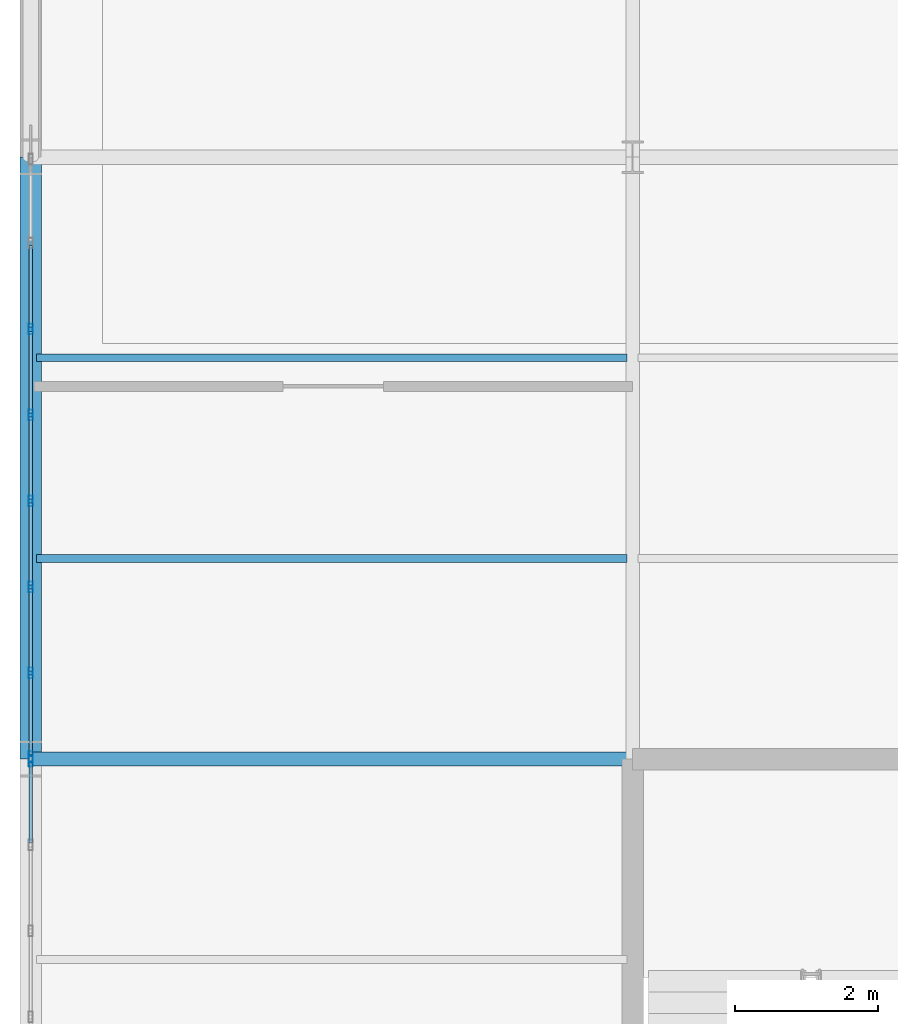
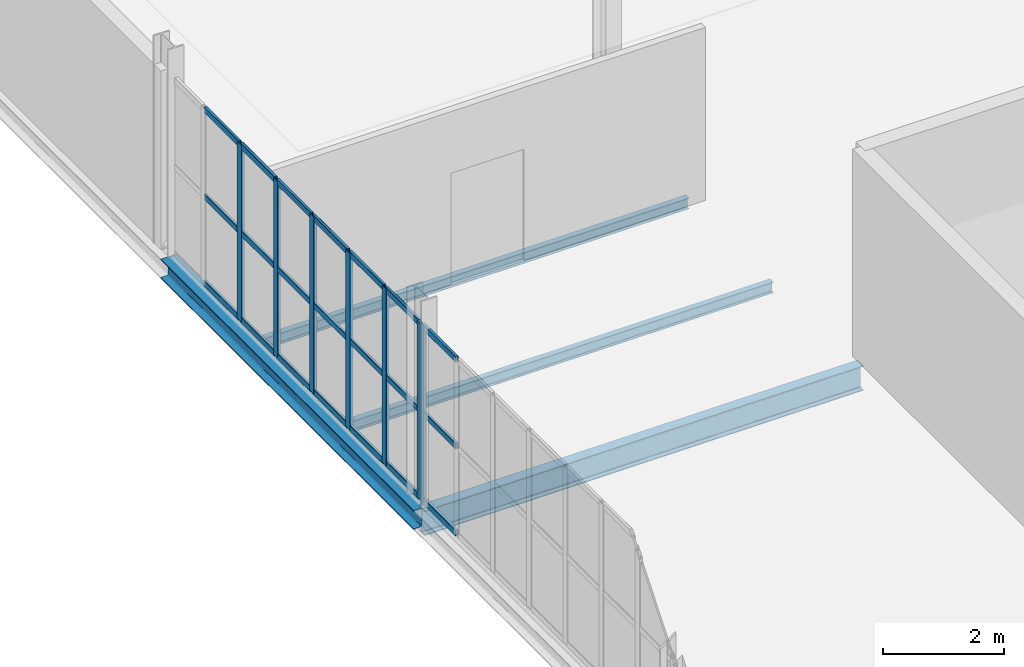
# One storey, part 19 of 65: 28 members, 4 beams, 2 elements without a shape of their own.
"""IFC4 building model written with IfcOpenShell, lengths in metres."""

from ifc_helpers import new_model, si_unit, direction, frame, origin, origin_2d, place, context, subcontext, project, spatial, hollow_rectangle, i_section, extrude, material, layer, layer_set, material_profile, profile_set, type_object, element, aggregate, save


model = new_model("IFC4")

# Units and contexts
model_context = context("Model", 3, precision=1e-05, world=origin(), true_north=direction((0.0, 1.0)))
body_context = subcontext(model_context, "Body", "Model", "MODEL_VIEW")
ifc_project = project(units=[si_unit("LENGTHUNIT", "METRE"), si_unit("AREAUNIT", "SQUARE_METRE"), si_unit("VOLUMEUNIT", "CUBIC_METRE"), si_unit("PLANEANGLEUNIT", "RADIAN"), si_unit("MASSUNIT", "GRAM", prefix="KILO")], contexts=[model_context])

# Site, building, storey
site_placement = place(None, origin())
site = spatial("IfcSite", under=ifc_project, at=site_placement, CompositionType="ELEMENT")
building_placement = place(site_placement, origin())
building = spatial("IfcBuilding", under=site, at=building_placement, Name="Qalvenar Corner Mobility Hub", CompositionType="ELEMENT")
storey_placement = place(building_placement, frame((0.0, 0.0, 17.39990234375)))
storey = spatial("IfcBuildingStorey", under=building, at=storey_placement, Name="L04", CompositionType="ELEMENT", Elevation=17.39990234375)

# Beams
ifc_material_1 = material(Name="Steel S355", Category="steel")
ifc_material_profile_1 = material_profile(ifc_material_1, i_section(OverallWidth=0.199951171875, OverallDepth=0.5, WebThickness=0.01025390625, FlangeThickness=0.01611328125, FilletRadius=0.02099609375, at=origin_2d()), Name="IPE500")
ifc_profile_set_1 = profile_set([ifc_material_profile_1], Name="Steel S355")
beam_type_1 = type_object("IfcBeamType", Name="BM-IPE500", PredefinedType="BEAM", material=ifc_profile_set_1)
beam_1_placement = place(storey_placement, frame((0.0, 16.800048828125, -0.429931640625), z_axis=(1.0, 0.0, 0.0), x_axis=(0.0, 1.0, 0.0)))
element("IfcBeam", 1, at=beam_1_placement, inside=storey, type_object=beam_type_1, Name="Primary Steel Girder GX-2603", PredefinedType="BEAM", context=body_context, shape_type="SweptSolid", body=[
    extrude(i_section(OverallWidth=0.199951171875, OverallDepth=0.5, WebThickness=0.01025390625, FlangeThickness=0.01611328125, FilletRadius=0.02099609375, at=origin_2d()), origin(), (0.0, 0.0, 1.0), 8.39990234375),
])
ifc_material_profile_2 = material_profile(ifc_material_1, i_section(OverallWidth=0.110107421875, OverallDepth=0.219970703125, WebThickness=0.005859375, FlangeThickness=0.00927734375, FilletRadius=0.011962890625, at=origin_2d()), Name="IPE220")
ifc_profile_set_2 = profile_set([ifc_material_profile_2], Name="Steel S355")
beam_type_2 = type_object("IfcBeamType", Name="BM-JST220", PredefinedType="JOIST", material=ifc_profile_set_2)
for number, where, z_axis, x_axis, name in (
    (2, (0.077880859375, 19.60009765625, -0.289794921875), (1.0, 0.0, 0.0), (0.0, 1.0, 0.0), "Composite Floor Joist J-2667"),
    (3, (0.077880859375, 22.39990234375, -0.289794921875), (1.0, 0.0, 0.0), (0.0, 1.0, 0.0), "Composite Floor Joist J-2668"),
):
    element("IfcBeam", number, at=place(storey_placement, frame(where, z_axis=z_axis, x_axis=x_axis)), inside=storey, type_object=beam_type_2, Name=name, PredefinedType="JOIST", context=body_context, shape_type="SweptSolid", body=[
        extrude(i_section(OverallWidth=0.110107421875, OverallDepth=0.219970703125, WebThickness=0.005859375, FlangeThickness=0.00927734375, FilletRadius=0.011962890625, at=origin_2d()), origin(), (0.0, 0.0, 1.0), 8.244140625),
    ])
ifc_material_profile_3 = material_profile(ifc_material_1, i_section(OverallWidth=0.300048828125, OverallDepth=0.389892578125, WebThickness=0.010986328125, FlangeThickness=0.01904296875, FilletRadius=0.027099609375, at=origin_2d()), Name="HEA400")
ifc_profile_set_3 = profile_set([ifc_material_profile_3], Name="Steel S355")
beam_type_3 = type_object("IfcBeamType", Name="BM-SPN400", PredefinedType="SPANDREL", material=ifc_profile_set_3)
beam_2_placement = place(storey_placement, frame((0.0, 16.800048828125, -0.375), z_axis=(0.0, 1.0, 0.0), x_axis=(-1.0, 0.0, 0.0)))
element("IfcBeam", 4, at=beam_2_placement, inside=storey, type_object=beam_type_3, Name="Primary Steel Girder GY-2629", PredefinedType="SPANDREL", context=body_context, shape_type="SweptSolid", body=[
    extrude(i_section(OverallWidth=0.300048828125, OverallDepth=0.389892578125, WebThickness=0.010986328125, FlangeThickness=0.01904296875, FilletRadius=0.027099609375, at=origin_2d()), origin(), (0.0, 0.0, 1.0), 8.39990234375),
])

# Curtain wall, member
ifc_material_2 = material(Name="Anodised Aluminium and Low-E Glazing", Category="aluminium")
ifc_layer = layer(ifc_material_2, 0.14990234375)
ifc_layer_set = layer_set([ifc_layer], Name="Anodised Aluminium and Low-E Glazing")
curtain_wall_type = type_object("IfcCurtainWallType", Name="CW-CIV-84X40", PredefinedType="NOTDEFINED", material=ifc_layer_set)
curtain_wall_1_placement = place(storey_placement, origin())
curtain_wall_1 = element("IfcCurtainWall", 5, at=curtain_wall_1_placement, inside=storey, type_object=curtain_wall_type, Name="Glazed Curtain Wall CW-V3-L04-W1", PredefinedType="NOTDEFINED")
ifc_material_3 = material(Name="Anodised Aluminium 6063-T6", Category="aluminium")
ifc_material_profile_4 = material_profile(ifc_material_3, hollow_rectangle(XDim=0.06005859375, YDim=0.14990234375, WallThickness=0.00390625, InnerFilletRadius=0.00390625, OuterFilletRadius=0.008056640625, at=origin_2d()), Name="RHS150x60x4")
ifc_profile_set_4 = profile_set([ifc_material_profile_4], Name="Anodised Aluminium 6063-T6")
member_type_1 = type_object("IfcMemberType", Name="CW-MUL150", PredefinedType="MULLION", material=ifc_profile_set_4)
member_1_placement = place(storey_placement, frame((0.0, 16.77001953125, 0.0), z_axis=(0.0, 0.0, 1.0), x_axis=(1.0, 0.0, 0.0)))
member_1 = element("IfcMember", 6, at=member_1_placement, type_object=member_type_1, Name="CW-05 mullion 1", PredefinedType="MULLION", context=body_context, shape_type="SweptSolid", body=[
    extrude(hollow_rectangle(XDim=0.06005859375, YDim=0.14990234375, WallThickness=0.00390625, InnerFilletRadius=0.00390625, OuterFilletRadius=0.008056640625, at=origin_2d()), origin(), (0.0, 0.0, 1.0), 3.570068359375),
])

# Curtain wall, members
curtain_wall_2_placement = place(storey_placement, origin())
curtain_wall_2 = element("IfcCurtainWall", 7, at=curtain_wall_2_placement, inside=storey, type_object=curtain_wall_type, Name="Glazed Curtain Wall CW-V3-L04-W2", PredefinedType="NOTDEFINED")
member_2_placement = place(storey_placement, frame((0.0, 22.800048828125, 0.0), z_axis=(0.0, 0.0, 1.0), x_axis=(1.0, 0.0, 0.0)))
member_2 = element("IfcMember", 8, at=member_2_placement, type_object=member_type_1, Name="CW-05 mullion 3", PredefinedType="MULLION", context=body_context, shape_type="SweptSolid", body=[
    extrude(hollow_rectangle(XDim=0.06005859375, YDim=0.14990234375, WallThickness=0.00390625, InnerFilletRadius=0.00390625, OuterFilletRadius=0.008056640625, at=origin_2d()), origin(), (0.0, 0.0, 1.0), 3.570068359375),
])
member_3_placement = place(storey_placement, frame((0.0, 21.60009765625, 0.0), z_axis=(0.0, 0.0, 1.0), x_axis=(1.0, 0.0, 0.0)))
member_3 = element("IfcMember", 9, at=member_3_placement, type_object=member_type_1, Name="CW-05 mullion 4", PredefinedType="MULLION", context=body_context, shape_type="SweptSolid", body=[
    extrude(hollow_rectangle(XDim=0.06005859375, YDim=0.14990234375, WallThickness=0.00390625, InnerFilletRadius=0.00390625, OuterFilletRadius=0.008056640625, at=origin_2d()), origin(), (0.0, 0.0, 1.0), 3.570068359375),
])
member_4_placement = place(storey_placement, frame((0.0, 20.39990234375, 0.0), z_axis=(0.0, 0.0, 1.0), x_axis=(1.0, 0.0, 0.0)))
member_4 = element("IfcMember", 10, at=member_4_placement, type_object=member_type_1, Name="CW-05 mullion 5", PredefinedType="MULLION", context=body_context, shape_type="SweptSolid", body=[
    extrude(hollow_rectangle(XDim=0.06005859375, YDim=0.14990234375, WallThickness=0.00390625, InnerFilletRadius=0.00390625, OuterFilletRadius=0.008056640625, at=origin_2d()), origin(), (0.0, 0.0, 1.0), 3.570068359375),
])
member_5_placement = place(storey_placement, frame((0.0, 19.199951171875, 0.0), z_axis=(0.0, 0.0, 1.0), x_axis=(1.0, 0.0, 0.0)))
member_5 = element("IfcMember", 11, at=member_5_placement, type_object=member_type_1, Name="CW-05 mullion 6", PredefinedType="MULLION", context=body_context, shape_type="SweptSolid", body=[
    extrude(hollow_rectangle(XDim=0.06005859375, YDim=0.14990234375, WallThickness=0.00390625, InnerFilletRadius=0.00390625, OuterFilletRadius=0.008056640625, at=origin_2d()), origin(), (0.0, 0.0, 1.0), 3.570068359375),
])
member_6_placement = place(storey_placement, frame((0.0, 18.0, 0.0), z_axis=(0.0, 0.0, 1.0), x_axis=(1.0, 0.0, 0.0)))
member_6 = element("IfcMember", 12, at=member_6_placement, type_object=member_type_1, Name="CW-05 mullion 7", PredefinedType="MULLION", context=body_context, shape_type="SweptSolid", body=[
    extrude(hollow_rectangle(XDim=0.06005859375, YDim=0.14990234375, WallThickness=0.00390625, InnerFilletRadius=0.00390625, OuterFilletRadius=0.008056640625, at=origin_2d()), origin(), (0.0, 0.0, 1.0), 3.570068359375),
])
member_7_placement = place(storey_placement, frame((0.0, 16.830078125, 0.0), z_axis=(0.0, 0.0, 1.0), x_axis=(1.0, 0.0, 0.0)))
member_7 = element("IfcMember", 13, at=member_7_placement, type_object=member_type_1, Name="CW-05 mullion 8", PredefinedType="MULLION", context=body_context, shape_type="SweptSolid", body=[
    extrude(hollow_rectangle(XDim=0.06005859375, YDim=0.14990234375, WallThickness=0.00390625, InnerFilletRadius=0.00390625, OuterFilletRadius=0.008056640625, at=origin_2d()), origin(), (0.0, 0.0, 1.0), 3.570068359375),
])

# Member
ifc_material_profile_5 = material_profile(ifc_material_3, hollow_rectangle(XDim=0.054931640625, YDim=0.1201171875, WallThickness=0.00341796875, InnerFilletRadius=0.00341796875, OuterFilletRadius=0.007080078125, at=origin_2d()), Name="RHS120x55x3.5")
ifc_profile_set_5 = profile_set([ifc_material_profile_5], Name="Anodised Aluminium 6063-T6")
member_type_2 = type_object("IfcMemberType", Name="CW-TRN120", PredefinedType="USERDEFINED", material=ifc_profile_set_5)
member_8_placement = place(storey_placement, frame((0.0, 16.739990234375, 0.027587890625), z_axis=(0.0, -1.0, 0.0), x_axis=(1.0, 0.0, 0.0)))
member_8 = element("IfcMember", 14, at=member_8_placement, type_object=member_type_2, Name="CW-05 transom 1.1", ObjectType="TRANSOM", PredefinedType="USERDEFINED", context=body_context, shape_type="SweptSolid", body=[
    extrude(hollow_rectangle(XDim=0.054931640625, YDim=0.1201171875, WallThickness=0.00341796875, InnerFilletRadius=0.00341796875, OuterFilletRadius=0.007080078125, at=origin_2d()), origin(), (0.0, 0.0, 1.0), 1.110107421875),
])

member_9_placement = place(storey_placement, frame((0.0, 16.739990234375, 1.78515625), z_axis=(0.0, -1.0, 0.0), x_axis=(1.0, 0.0, 0.0)))
member_9 = element("IfcMember", 15, at=member_9_placement, type_object=member_type_2, Name="CW-05 transom 1.2", ObjectType="TRANSOM", PredefinedType="USERDEFINED", context=body_context, shape_type="SweptSolid", body=[
    extrude(hollow_rectangle(XDim=0.054931640625, YDim=0.1201171875, WallThickness=0.00341796875, InnerFilletRadius=0.00341796875, OuterFilletRadius=0.007080078125, at=origin_2d()), origin(), (0.0, 0.0, 1.0), 1.110107421875),
])

member_10_placement = place(storey_placement, frame((0.0, 16.739990234375, 3.54248046875), z_axis=(0.0, -1.0, 0.0), x_axis=(1.0, 0.0, 0.0)))
member_10 = element("IfcMember", 16, at=member_10_placement, type_object=member_type_2, Name="CW-05 transom 1.3", ObjectType="TRANSOM", PredefinedType="USERDEFINED", context=body_context, shape_type="SweptSolid", body=[
    extrude(hollow_rectangle(XDim=0.054931640625, YDim=0.1201171875, WallThickness=0.00341796875, InnerFilletRadius=0.00341796875, OuterFilletRadius=0.007080078125, at=origin_2d()), origin(), (0.0, 0.0, 1.0), 1.110107421875),
])

aggregate(curtain_wall_1, [member_1, member_8, member_9, member_10])

member_11_placement = place(storey_placement, frame((0.0, 23.969970703125, 0.027587890625), z_axis=(0.0, -1.0, 0.0), x_axis=(1.0, 0.0, 0.0)))
member_11 = element("IfcMember", 17, at=member_11_placement, type_object=member_type_2, Name="CW-05 transom 2.1", ObjectType="TRANSOM", PredefinedType="USERDEFINED", context=body_context, shape_type="SweptSolid", body=[
    extrude(hollow_rectangle(XDim=0.054931640625, YDim=0.1201171875, WallThickness=0.00341796875, InnerFilletRadius=0.00341796875, OuterFilletRadius=0.007080078125, at=origin_2d()), origin(), (0.0, 0.0, 1.0), 1.139892578125),
])

member_12_placement = place(storey_placement, frame((0.0, 23.969970703125, 1.78515625), z_axis=(0.0, -1.0, 0.0), x_axis=(1.0, 0.0, 0.0)))
member_12 = element("IfcMember", 18, at=member_12_placement, type_object=member_type_2, Name="CW-05 transom 2.2", ObjectType="TRANSOM", PredefinedType="USERDEFINED", context=body_context, shape_type="SweptSolid", body=[
    extrude(hollow_rectangle(XDim=0.054931640625, YDim=0.1201171875, WallThickness=0.00341796875, InnerFilletRadius=0.00341796875, OuterFilletRadius=0.007080078125, at=origin_2d()), origin(), (0.0, 0.0, 1.0), 1.139892578125),
])

member_13_placement = place(storey_placement, frame((0.0, 23.969970703125, 3.54248046875), z_axis=(0.0, -1.0, 0.0), x_axis=(1.0, 0.0, 0.0)))
member_13 = element("IfcMember", 19, at=member_13_placement, type_object=member_type_2, Name="CW-05 transom 2.3", ObjectType="TRANSOM", PredefinedType="USERDEFINED", context=body_context, shape_type="SweptSolid", body=[
    extrude(hollow_rectangle(XDim=0.054931640625, YDim=0.1201171875, WallThickness=0.00341796875, InnerFilletRadius=0.00341796875, OuterFilletRadius=0.007080078125, at=origin_2d()), origin(), (0.0, 0.0, 1.0), 1.139892578125),
])

member_14_placement = place(storey_placement, frame((0.0, 22.77001953125, 0.027587890625), z_axis=(0.0, -1.0, 0.0), x_axis=(1.0, 0.0, 0.0)))
member_14 = element("IfcMember", 20, at=member_14_placement, type_object=member_type_2, Name="CW-05 transom 3.1", ObjectType="TRANSOM", PredefinedType="USERDEFINED", context=body_context, shape_type="SweptSolid", body=[
    extrude(hollow_rectangle(XDim=0.054931640625, YDim=0.1201171875, WallThickness=0.00341796875, InnerFilletRadius=0.00341796875, OuterFilletRadius=0.007080078125, at=origin_2d()), origin(), (0.0, 0.0, 1.0), 1.14013671875),
])

member_15_placement = place(storey_placement, frame((0.0, 22.77001953125, 1.78515625), z_axis=(0.0, -1.0, 0.0), x_axis=(1.0, 0.0, 0.0)))
member_15 = element("IfcMember", 21, at=member_15_placement, type_object=member_type_2, Name="CW-05 transom 3.2", ObjectType="TRANSOM", PredefinedType="USERDEFINED", context=body_context, shape_type="SweptSolid", body=[
    extrude(hollow_rectangle(XDim=0.054931640625, YDim=0.1201171875, WallThickness=0.00341796875, InnerFilletRadius=0.00341796875, OuterFilletRadius=0.007080078125, at=origin_2d()), origin(), (0.0, 0.0, 1.0), 1.14013671875),
])

member_16_placement = place(storey_placement, frame((0.0, 22.77001953125, 3.54248046875), z_axis=(0.0, -1.0, 0.0), x_axis=(1.0, 0.0, 0.0)))
member_16 = element("IfcMember", 22, at=member_16_placement, type_object=member_type_2, Name="CW-05 transom 3.3", ObjectType="TRANSOM", PredefinedType="USERDEFINED", context=body_context, shape_type="SweptSolid", body=[
    extrude(hollow_rectangle(XDim=0.054931640625, YDim=0.1201171875, WallThickness=0.00341796875, InnerFilletRadius=0.00341796875, OuterFilletRadius=0.007080078125, at=origin_2d()), origin(), (0.0, 0.0, 1.0), 1.14013671875),
])

member_17_placement = place(storey_placement, frame((0.0, 21.570068359375, 0.027587890625), z_axis=(0.0, -1.0, 0.0), x_axis=(1.0, 0.0, 0.0)))
member_17 = element("IfcMember", 23, at=member_17_placement, type_object=member_type_2, Name="CW-05 transom 4.1", ObjectType="TRANSOM", PredefinedType="USERDEFINED", context=body_context, shape_type="SweptSolid", body=[
    extrude(hollow_rectangle(XDim=0.054931640625, YDim=0.1201171875, WallThickness=0.00341796875, InnerFilletRadius=0.00341796875, OuterFilletRadius=0.007080078125, at=origin_2d()), origin(), (0.0, 0.0, 1.0), 1.14013671875),
])

member_18_placement = place(storey_placement, frame((0.0, 21.570068359375, 1.78515625), z_axis=(0.0, -1.0, 0.0), x_axis=(1.0, 0.0, 0.0)))
member_18 = element("IfcMember", 24, at=member_18_placement, type_object=member_type_2, Name="CW-05 transom 4.2", ObjectType="TRANSOM", PredefinedType="USERDEFINED", context=body_context, shape_type="SweptSolid", body=[
    extrude(hollow_rectangle(XDim=0.054931640625, YDim=0.1201171875, WallThickness=0.00341796875, InnerFilletRadius=0.00341796875, OuterFilletRadius=0.007080078125, at=origin_2d()), origin(), (0.0, 0.0, 1.0), 1.14013671875),
])

member_19_placement = place(storey_placement, frame((0.0, 21.570068359375, 3.54248046875), z_axis=(0.0, -1.0, 0.0), x_axis=(1.0, 0.0, 0.0)))
member_19 = element("IfcMember", 25, at=member_19_placement, type_object=member_type_2, Name="CW-05 transom 4.3", ObjectType="TRANSOM", PredefinedType="USERDEFINED", context=body_context, shape_type="SweptSolid", body=[
    extrude(hollow_rectangle(XDim=0.054931640625, YDim=0.1201171875, WallThickness=0.00341796875, InnerFilletRadius=0.00341796875, OuterFilletRadius=0.007080078125, at=origin_2d()), origin(), (0.0, 0.0, 1.0), 1.14013671875),
])

member_20_placement = place(storey_placement, frame((0.0, 20.3701171875, 0.027587890625), z_axis=(0.0, -1.0, 0.0), x_axis=(1.0, 0.0, 0.0)))
member_20 = element("IfcMember", 26, at=member_20_placement, type_object=member_type_2, Name="CW-05 transom 5.1", ObjectType="TRANSOM", PredefinedType="USERDEFINED", context=body_context, shape_type="SweptSolid", body=[
    extrude(hollow_rectangle(XDim=0.054931640625, YDim=0.1201171875, WallThickness=0.00341796875, InnerFilletRadius=0.00341796875, OuterFilletRadius=0.007080078125, at=origin_2d()), origin(), (0.0, 0.0, 1.0), 1.14013671875),
])

member_21_placement = place(storey_placement, frame((0.0, 20.3701171875, 1.78515625), z_axis=(0.0, -1.0, 0.0), x_axis=(1.0, 0.0, 0.0)))
member_21 = element("IfcMember", 27, at=member_21_placement, type_object=member_type_2, Name="CW-05 transom 5.2", ObjectType="TRANSOM", PredefinedType="USERDEFINED", context=body_context, shape_type="SweptSolid", body=[
    extrude(hollow_rectangle(XDim=0.054931640625, YDim=0.1201171875, WallThickness=0.00341796875, InnerFilletRadius=0.00341796875, OuterFilletRadius=0.007080078125, at=origin_2d()), origin(), (0.0, 0.0, 1.0), 1.14013671875),
])

member_22_placement = place(storey_placement, frame((0.0, 20.3701171875, 3.54248046875), z_axis=(0.0, -1.0, 0.0), x_axis=(1.0, 0.0, 0.0)))
member_22 = element("IfcMember", 28, at=member_22_placement, type_object=member_type_2, Name="CW-05 transom 5.3", ObjectType="TRANSOM", PredefinedType="USERDEFINED", context=body_context, shape_type="SweptSolid", body=[
    extrude(hollow_rectangle(XDim=0.054931640625, YDim=0.1201171875, WallThickness=0.00341796875, InnerFilletRadius=0.00341796875, OuterFilletRadius=0.007080078125, at=origin_2d()), origin(), (0.0, 0.0, 1.0), 1.14013671875),
])

member_23_placement = place(storey_placement, frame((0.0, 19.169921875, 0.027587890625), z_axis=(0.0, -1.0, 0.0), x_axis=(1.0, 0.0, 0.0)))
member_23 = element("IfcMember", 29, at=member_23_placement, type_object=member_type_2, Name="CW-05 transom 6.1", ObjectType="TRANSOM", PredefinedType="USERDEFINED", context=body_context, shape_type="SweptSolid", body=[
    extrude(hollow_rectangle(XDim=0.054931640625, YDim=0.1201171875, WallThickness=0.00341796875, InnerFilletRadius=0.00341796875, OuterFilletRadius=0.007080078125, at=origin_2d()), origin(), (0.0, 0.0, 1.0), 1.139892578125),
])

member_24_placement = place(storey_placement, frame((0.0, 19.169921875, 1.78515625), z_axis=(0.0, -1.0, 0.0), x_axis=(1.0, 0.0, 0.0)))
member_24 = element("IfcMember", 30, at=member_24_placement, type_object=member_type_2, Name="CW-05 transom 6.2", ObjectType="TRANSOM", PredefinedType="USERDEFINED", context=body_context, shape_type="SweptSolid", body=[
    extrude(hollow_rectangle(XDim=0.054931640625, YDim=0.1201171875, WallThickness=0.00341796875, InnerFilletRadius=0.00341796875, OuterFilletRadius=0.007080078125, at=origin_2d()), origin(), (0.0, 0.0, 1.0), 1.139892578125),
])

member_25_placement = place(storey_placement, frame((0.0, 19.169921875, 3.54248046875), z_axis=(0.0, -1.0, 0.0), x_axis=(1.0, 0.0, 0.0)))
member_25 = element("IfcMember", 31, at=member_25_placement, type_object=member_type_2, Name="CW-05 transom 6.3", ObjectType="TRANSOM", PredefinedType="USERDEFINED", context=body_context, shape_type="SweptSolid", body=[
    extrude(hollow_rectangle(XDim=0.054931640625, YDim=0.1201171875, WallThickness=0.00341796875, InnerFilletRadius=0.00341796875, OuterFilletRadius=0.007080078125, at=origin_2d()), origin(), (0.0, 0.0, 1.0), 1.139892578125),
])

member_26_placement = place(storey_placement, frame((0.0, 17.969970703125, 0.027587890625), z_axis=(0.0, -1.0, 0.0), x_axis=(1.0, 0.0, 0.0)))
member_26 = element("IfcMember", 32, at=member_26_placement, type_object=member_type_2, Name="CW-05 transom 7.1", ObjectType="TRANSOM", PredefinedType="USERDEFINED", context=body_context, shape_type="SweptSolid", body=[
    extrude(hollow_rectangle(XDim=0.054931640625, YDim=0.1201171875, WallThickness=0.00341796875, InnerFilletRadius=0.00341796875, OuterFilletRadius=0.007080078125, at=origin_2d()), origin(), (0.0, 0.0, 1.0), 1.10986328125),
])

member_27_placement = place(storey_placement, frame((0.0, 17.969970703125, 1.78515625), z_axis=(0.0, -1.0, 0.0), x_axis=(1.0, 0.0, 0.0)))
member_27 = element("IfcMember", 33, at=member_27_placement, type_object=member_type_2, Name="CW-05 transom 7.2", ObjectType="TRANSOM", PredefinedType="USERDEFINED", context=body_context, shape_type="SweptSolid", body=[
    extrude(hollow_rectangle(XDim=0.054931640625, YDim=0.1201171875, WallThickness=0.00341796875, InnerFilletRadius=0.00341796875, OuterFilletRadius=0.007080078125, at=origin_2d()), origin(), (0.0, 0.0, 1.0), 1.10986328125),
])

member_28_placement = place(storey_placement, frame((0.0, 17.969970703125, 3.54248046875), z_axis=(0.0, -1.0, 0.0), x_axis=(1.0, 0.0, 0.0)))
member_28 = element("IfcMember", 34, at=member_28_placement, type_object=member_type_2, Name="CW-05 transom 7.3", ObjectType="TRANSOM", PredefinedType="USERDEFINED", context=body_context, shape_type="SweptSolid", body=[
    extrude(hollow_rectangle(XDim=0.054931640625, YDim=0.1201171875, WallThickness=0.00341796875, InnerFilletRadius=0.00341796875, OuterFilletRadius=0.007080078125, at=origin_2d()), origin(), (0.0, 0.0, 1.0), 1.10986328125),
])

aggregate(curtain_wall_2, [member_2, member_3, member_4, member_5, member_6, member_7, member_11, member_12, member_13, member_14, member_15, member_16, member_17, member_18, member_19, member_20, member_21, member_22, member_23, member_24, member_25, member_26, member_27, member_28])

save(model, "model.ifc")
